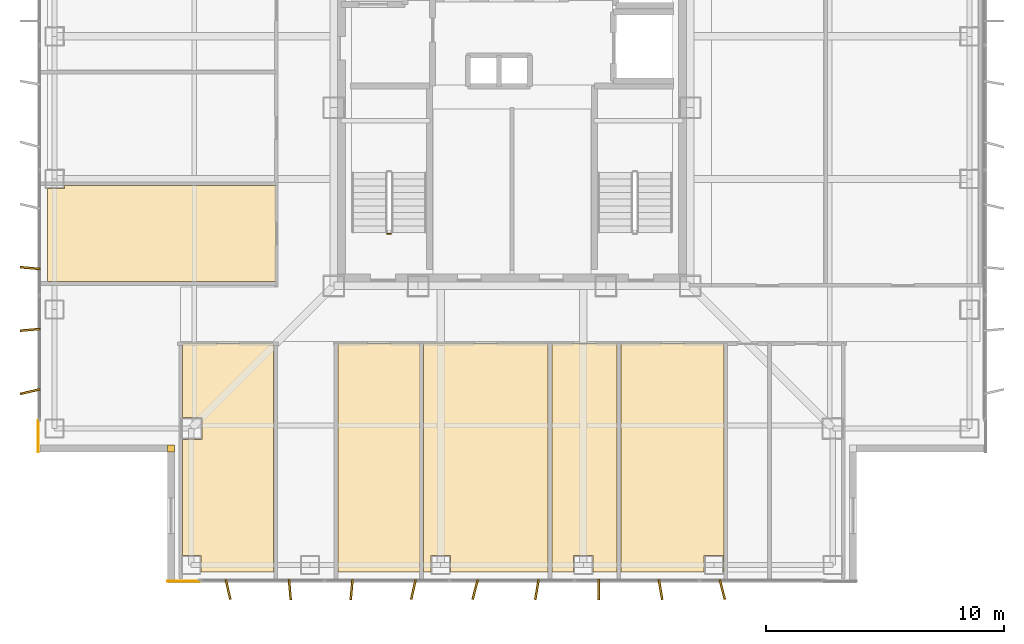
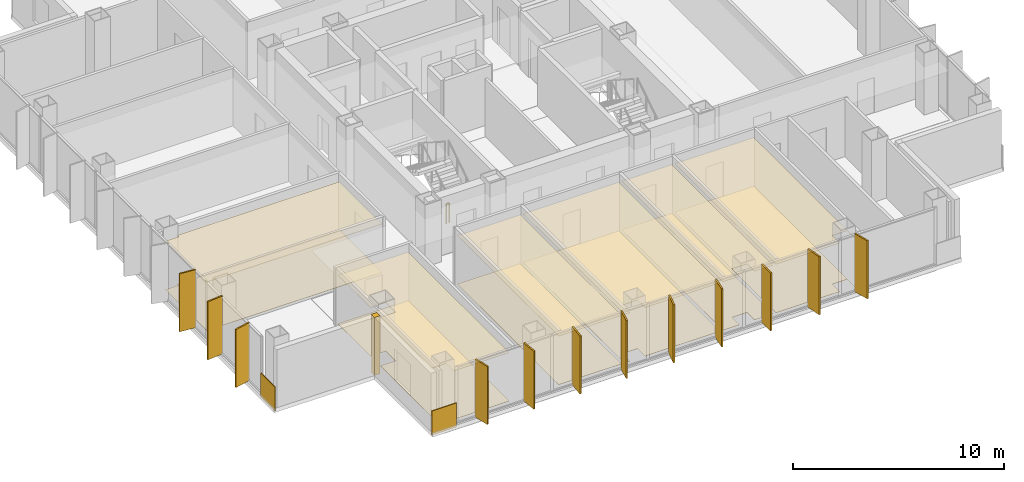
# One storey, part 13 of 18: 15 coverings, 12 shading devices, 1 railing.
"""IFC4 building model written with IfcOpenShell, lengths in metres."""

from ifc_helpers import new_model, si_unit, direction, frame, frame_2d, origin, origin_2d, place, context, subcontext, project, spatial, polyline, rectangle, circle, outline, extrude, material, layer, layer_set, type_object, element, save


model = new_model("IFC4")

# Units and contexts
model_context = context("Model", 3, precision=1e-05, world=origin(), true_north=direction((0.0, 1.0)))
body_context = subcontext(model_context, "Body", "Model", "MODEL_VIEW")
ifc_project = project(units=[si_unit("LENGTHUNIT", "METRE"), si_unit("AREAUNIT", "SQUARE_METRE"), si_unit("VOLUMEUNIT", "CUBIC_METRE"), si_unit("PLANEANGLEUNIT", "RADIAN"), si_unit("MASSUNIT", "GRAM", prefix="KILO")], contexts=[model_context])

# Site, building, storey
site_placement = place(None, origin())
site = spatial("IfcSite", under=ifc_project, at=site_placement, CompositionType="ELEMENT")
building_placement = place(site_placement, origin())
building = spatial("IfcBuilding", under=site, at=building_placement, Name="Trevonay Congress Spire", CompositionType="ELEMENT")
storey_placement = place(building_placement, frame((0.0, 0.0, 173.39990234375)))
storey = spatial("IfcBuildingStorey", under=building, at=storey_placement, Name="L44", CompositionType="ELEMENT", Elevation=173.39990234375)

# Coverings
ifc_material_1 = material(Name="Acoustic Mineral Fibre Board", Category="gypsum")
ifc_layer_1 = layer(ifc_material_1, 0.02490234375, Name="Acoustic Mineral Fibre Board")
ifc_layer_set_1 = layer_set([ifc_layer_1], Name="Acoustic Mineral Fibre Board")
covering_type_1 = type_object("IfcCoveringType", Name="COV-CEIL-ACOUSTIC", PredefinedType="CEILING", material=ifc_layer_set_1)
covering_1_placement = place(storey_placement, frame((0.0, 0.0, 2.81005859375)))
element("IfcCovering", 1, at=covering_1_placement, inside=storey, type_object=covering_type_1, Name="L44 Senior Partner Corner Office acoustic suspended ceiling", PredefinedType="CEILING", context=body_context, shape_type="SweptSolid", body=[
    extrude(outline(polyline([(-13.8701171875, -9.929931640625), (-10.030029296875, -9.929931640625), (-10.030029296875, -19.550048828125), (-13.090087890625, -19.550048828125), (-13.090087890625, -18.840087890625), (-13.8701171875, -18.840087890625), (-13.8701171875, -13.9599609375), (-13.0400390625, -13.9599609375), (-13.0400390625, -13.0400390625), (-13.8701171875, -13.0400390625), (-13.8701171875, -9.929931640625)])), origin(), (0.0, 0.0, 1.0), 0.025146484375),
])
covering_2_placement = place(storey_placement, frame((0.0, 0.0, 2.81005859375)))
element("IfcCovering", 2, at=covering_2_placement, inside=storey, type_object=covering_type_1, Name="L44 Admiralty Law Office 1 acoustic suspended ceiling", PredefinedType="CEILING", context=body_context, shape_type="SweptSolid", body=[
    extrude(outline(polyline([(-7.320068359375, -19.550048828125), (-3.8798828125, -19.550048828125), (-3.8798828125, -9.929931640625), (-7.320068359375, -9.929931640625), (-7.320068359375, -19.550048828125)])), origin(), (0.0, 0.0, 1.0), 0.025146484375),
])
covering_3_placement = place(storey_placement, frame((0.0, 0.0, 2.81005859375)))
element("IfcCovering", 3, at=covering_3_placement, inside=storey, type_object=covering_type_1, Name="L44 Admiralty Law Office 2 acoustic suspended ceiling", PredefinedType="CEILING", context=body_context, shape_type="SweptSolid", body=[
    extrude(outline(polyline([(-3.719970703125, -19.550048828125), (-3.719970703125, -9.929931640625), (1.52001953125, -9.929931640625), (1.52001953125, -19.550048828125), (-2.590087890625, -19.550048828125), (-2.590087890625, -18.840087890625), (-3.409912109375, -18.840087890625), (-3.409912109375, -19.550048828125), (-3.719970703125, -19.550048828125)])), origin(), (0.0, 0.0, 1.0), 0.025146484375),
])
covering_4_placement = place(storey_placement, frame((0.0, 0.0, 2.81005859375)))
element("IfcCovering", 4, at=covering_4_placement, inside=storey, type_object=covering_type_1, Name="L44 Marine Insurance Office 3 acoustic suspended ceiling", PredefinedType="CEILING", context=body_context, shape_type="SweptSolid", body=[
    extrude(outline(polyline([(1.679931640625, -19.550048828125), (1.679931640625, -9.929931640625), (4.419921875, -9.929931640625), (4.419921875, -19.550048828125), (3.409912109375, -19.550048828125), (3.409912109375, -18.840087890625), (2.590087890625, -18.840087890625), (2.590087890625, -19.550048828125), (1.679931640625, -19.550048828125)])), origin(), (0.0, 0.0, 1.0), 0.025146484375),
])
covering_5_placement = place(storey_placement, frame((0.0, 0.0, 2.81005859375)))
element("IfcCovering", 5, at=covering_5_placement, inside=storey, type_object=covering_type_1, Name="L44 Paralegal Office 4 acoustic suspended ceiling", PredefinedType="CEILING", context=body_context, shape_type="SweptSolid", body=[
    extrude(outline(polyline([(4.580078125, -19.550048828125), (4.580078125, -9.929931640625), (8.919921875, -9.929931640625), (8.919921875, -19.550048828125), (8.909912109375, -19.550048828125), (8.909912109375, -18.840087890625), (8.090087890625, -18.840087890625), (8.090087890625, -19.550048828125), (4.580078125, -19.550048828125)])), origin(), (0.0, 0.0, 1.0), 0.025146484375),
])
covering_6_placement = place(storey_placement, frame((0.0, 0.0, 2.81005859375)))
element("IfcCovering", 6, at=covering_6_placement, inside=storey, type_object=covering_type_1, Name="L44 Charterparty Office 5 acoustic suspended ceiling", PredefinedType="CEILING", context=body_context, shape_type="SweptSolid", body=[
    extrude(outline(polyline([(-9.929931640625, -3.280029296875), (-9.929931640625, -7.320068359375), (-19.550048828125, -7.320068359375), (-19.550048828125, -3.409912109375), (-18.840087890625, -3.409912109375), (-18.840087890625, -3.280029296875), (-9.929931640625, -3.280029296875)])), origin(), (0.0, 0.0, 1.0), 0.025146484375),
])
ifc_material_2 = material(Name="Engineered Oak Flooring", Category="wood")
ifc_layer_2 = layer(ifc_material_2, 0.01806640625, Name="Engineered Oak Flooring")
ifc_layer_set_2 = layer_set([ifc_layer_2], Name="Engineered Oak Flooring")
covering_type_2 = type_object("IfcCoveringType", Name="COV-FLOOR-TIMBER", PredefinedType="FLOORING", material=ifc_layer_set_2)
covering_7_placement = place(storey_placement, origin())
element("IfcCovering", 7, at=covering_7_placement, inside=storey, type_object=covering_type_2, Name="L44 Senior Partner Corner Office floor finish", PredefinedType="FLOORING", context=body_context, shape_type="SweptSolid", body=[
    extrude(outline(polyline([(-13.8701171875, -9.929931640625), (-10.030029296875, -9.929931640625), (-10.030029296875, -19.550048828125), (-13.090087890625, -19.550048828125), (-13.090087890625, -18.840087890625), (-13.8701171875, -18.840087890625), (-13.8701171875, -13.9599609375), (-13.0400390625, -13.9599609375), (-13.0400390625, -13.0400390625), (-13.8701171875, -13.0400390625), (-13.8701171875, -9.929931640625)])), origin(), (0.0, 0.0, 1.0), 0.01806640625),
])
covering_8_placement = place(storey_placement, origin())
element("IfcCovering", 8, at=covering_8_placement, inside=storey, type_object=covering_type_2, Name="L44 Admiralty Law Office 1 floor finish", PredefinedType="FLOORING", context=body_context, shape_type="SweptSolid", body=[
    extrude(outline(polyline([(-7.320068359375, -19.550048828125), (-3.8798828125, -19.550048828125), (-3.8798828125, -9.929931640625), (-7.320068359375, -9.929931640625), (-7.320068359375, -19.550048828125)])), origin(), (0.0, 0.0, 1.0), 0.01806640625),
])
covering_9_placement = place(storey_placement, origin())
element("IfcCovering", 9, at=covering_9_placement, inside=storey, type_object=covering_type_2, Name="L44 Admiralty Law Office 2 floor finish", PredefinedType="FLOORING", context=body_context, shape_type="SweptSolid", body=[
    extrude(outline(polyline([(-3.719970703125, -19.550048828125), (-3.719970703125, -9.929931640625), (1.52001953125, -9.929931640625), (1.52001953125, -19.550048828125), (-2.590087890625, -19.550048828125), (-2.590087890625, -18.840087890625), (-3.409912109375, -18.840087890625), (-3.409912109375, -19.550048828125), (-3.719970703125, -19.550048828125)])), origin(), (0.0, 0.0, 1.0), 0.01806640625),
])
covering_10_placement = place(storey_placement, origin())
element("IfcCovering", 10, at=covering_10_placement, inside=storey, type_object=covering_type_2, Name="L44 Marine Insurance Office 3 floor finish", PredefinedType="FLOORING", context=body_context, shape_type="SweptSolid", body=[
    extrude(outline(polyline([(1.679931640625, -19.550048828125), (1.679931640625, -9.929931640625), (4.419921875, -9.929931640625), (4.419921875, -19.550048828125), (3.409912109375, -19.550048828125), (3.409912109375, -18.840087890625), (2.590087890625, -18.840087890625), (2.590087890625, -19.550048828125), (1.679931640625, -19.550048828125)])), origin(), (0.0, 0.0, 1.0), 0.01806640625),
])
covering_11_placement = place(storey_placement, origin())
element("IfcCovering", 11, at=covering_11_placement, inside=storey, type_object=covering_type_2, Name="L44 Paralegal Office 4 floor finish", PredefinedType="FLOORING", context=body_context, shape_type="SweptSolid", body=[
    extrude(outline(polyline([(4.580078125, -19.550048828125), (4.580078125, -9.929931640625), (8.919921875, -9.929931640625), (8.919921875, -19.550048828125), (8.909912109375, -19.550048828125), (8.909912109375, -18.840087890625), (8.090087890625, -18.840087890625), (8.090087890625, -19.550048828125), (4.580078125, -19.550048828125)])), origin(), (0.0, 0.0, 1.0), 0.01806640625),
])
covering_12_placement = place(storey_placement, origin())
element("IfcCovering", 12, at=covering_12_placement, inside=storey, type_object=covering_type_2, Name="L44 Charterparty Office 5 floor finish", PredefinedType="FLOORING", context=body_context, shape_type="SweptSolid", body=[
    extrude(outline(polyline([(-9.929931640625, -3.280029296875), (-9.929931640625, -7.320068359375), (-19.550048828125, -7.320068359375), (-19.550048828125, -3.409912109375), (-18.840087890625, -3.409912109375), (-18.840087890625, -3.280029296875), (-9.929931640625, -3.280029296875)])), origin(), (0.0, 0.0, 1.0), 0.01806640625),
])
ifc_material_3 = material(Name="Pale Anodised Aluminium EN AW-6063-T6", Category="aluminium")
ifc_layer_3 = layer(ifc_material_3, 0.0400390625, Name="Pale Anodised Aluminium EN AW-6063-T6")
ifc_layer_set_3 = layer_set([ifc_layer_3], Name="Pale Anodised Aluminium EN AW-6063-T6")
covering_type_3 = type_object("IfcCoveringType", Name="COV-SPANDREL-PALE-METAL", PredefinedType="CLADDING", material=ifc_layer_set_3)
covering_13_placement = place(storey_placement, origin())
element("IfcCovering", 13, at=covering_13_placement, inside=storey, type_object=covering_type_3, Name="L44 SW re-entrant notch corner closure trim", PredefinedType="CLADDING", context=body_context, shape_type="SweptSolid", body=[
    extrude(outline(polyline([(-14.5, -14.5), (-14.199951171875, -14.5), (-14.199951171875, -14.199951171875), (-14.5, -14.199951171875), (-14.5, -14.5)])), origin(), (0.0, 0.0, 1.0), 3.360107421875),
])
for number, where, z_axis, x_axis, name in (
    (14, (-19.93994140625, -13.14990234375, -0.14990234375), (0.0, 0.0, 1.0), (0.0, -1.0, 0.0), "L44 SW corner pier spandrel cladding 1"),
    (15, (-13.14990234375, -19.93994140625, -0.14990234375), (0.0, 0.0, 1.0), (-1.0, 0.0, 0.0), "L44 SW corner pier spandrel cladding 2"),
):
    element("IfcCovering", number, at=place(storey_placement, frame(where, z_axis=z_axis, x_axis=x_axis)), inside=storey, type_object=covering_type_3, Name=name, PredefinedType="CLADDING", context=body_context, shape_type="SweptSolid", body=[
        extrude(rectangle(XDim=1.35009765625, YDim=0.0400390625, at=frame_2d((0.675048828125, 0.0))), origin(), (0.0, 0.0, 1.0), 1.39990234375),
    ])

# Railing
railing_type = type_object("IfcRailingType", Name="RAL-STAIR-GUARD-110", PredefinedType="GUARDRAIL", material=ifc_material_3)
railing_placement = place(storey_placement, frame((-5.10009765625, -5.300048828125, 0.0)))
element("IfcRailing", 16, at=railing_placement, inside=storey, type_object=railing_type, Name="L44 ST-1 stair guard 4", PredefinedType="GUARDRAIL", context=body_context, shape_type="SweptSolid", body=[
    extrude(circle(Radius=0.02392578125, at=origin_2d()), frame((0.0, 0.0, 1.1259765625), z_axis=(-1.0, 0.0, 0.0), x_axis=(0.0, -1.0, 0.0)), (0.0, 0.0, 1.0), 0.14990234375),
    extrude(circle(Radius=0.02099609375, at=origin_2d()), origin(), (0.0, 0.0, 1.0), 1.101806640625),
    extrude(circle(Radius=0.02099609375, at=origin_2d()), frame((-0.14990234375, 0.0, 0.0)), (0.0, 0.0, 1.0), 1.101806640625),
])

# Shading devices
shading_device_type = type_object("IfcShadingDeviceType", Name="SHD-FIN-Z3-PALE-METAL", PredefinedType="USERDEFINED", material=ifc_material_3)
for number, where, z_axis, x_axis, name in (
    (17, (-11.949951171875, -20.280029296875, 0.0), (0.0, 0.0, 1.0), (0.97440931131, 0.224780991261, 0.0), "L44 S vertical pale-metal solar fin 1"),
    (18, (-9.35009765625, -20.280029296875, 0.0), (0.0, 0.0, 1.0), (0.995994383933, 0.089415810539, 0.0), "L44 S vertical pale-metal solar fin 2"),
    (19, (-6.75, -20.280029296875, 0.0), (0.0, 0.0, 1.0), (0.995994383933, -0.089415810539, 0.0), "L44 S vertical pale-metal solar fin 3"),
    (20, (-4.14990234375, -20.280029296875, 0.0), (0.0, 0.0, 1.0), (0.97440931131, -0.224780991261, 0.0), "L44 S vertical pale-metal solar fin 4"),
    (21, (-1.550048828125, -20.280029296875, 0.0), (0.0, 0.0, 1.0), (0.966957007154, -0.2549394954, 0.0), "L44 S vertical pale-metal solar fin 5"),
    (22, (1.050048828125, -20.280029296875, 0.0), (0.0, 0.0, 1.0), (0.98587937025, -0.16745706111, 0.0), "L44 S vertical pale-metal solar fin 6"),
    (23, (3.64990234375, -20.280029296875, 0.0), (0.0, 0.0, 1.0), (1.0, 0.0, 0.0), "L44 S vertical pale-metal solar fin 7"),
    (24, (6.25, -20.280029296875, 0.0), (0.0, 0.0, 1.0), (0.98587937025, 0.16745706111, 0.0), "L44 S vertical pale-metal solar fin 8"),
    (25, (8.85009765625, -20.280029296875, 0.0), (0.0, 0.0, 1.0), (0.966957007154, 0.2549394954, 0.0), "L44 S vertical pale-metal solar fin 9"),
    (26, (-20.280029296875, -11.949951171875, 0.0), (0.0, 0.0, 1.0), (-0.224780991261, 0.97440931131, 0.0), "L44 W vertical pale-metal solar fin 1"),
    (27, (-20.280029296875, -9.35009765625, 0.0), (0.0, 0.0, 1.0), (-0.089415810539, 0.995994383933, 0.0), "L44 W vertical pale-metal solar fin 2"),
    (28, (-20.280029296875, -6.75, 0.0), (0.0, 0.0, 1.0), (0.089415810539, 0.995994383933, 0.0), "L44 W vertical pale-metal solar fin 3"),
):
    element("IfcShadingDevice", number, at=place(storey_placement, frame(where, z_axis=z_axis, x_axis=x_axis)), inside=storey, type_object=shading_device_type, Name=name, ObjectType="SOLAR FIN", PredefinedType="USERDEFINED", context=body_context, shape_type="SweptSolid", body=[
        extrude(rectangle(XDim=0.080078125, YDim=0.85009765625, at=origin_2d()), origin(), (0.0, 0.0, 1.0), 3.360107421875),
    ])

save(model, "model.ifc")
